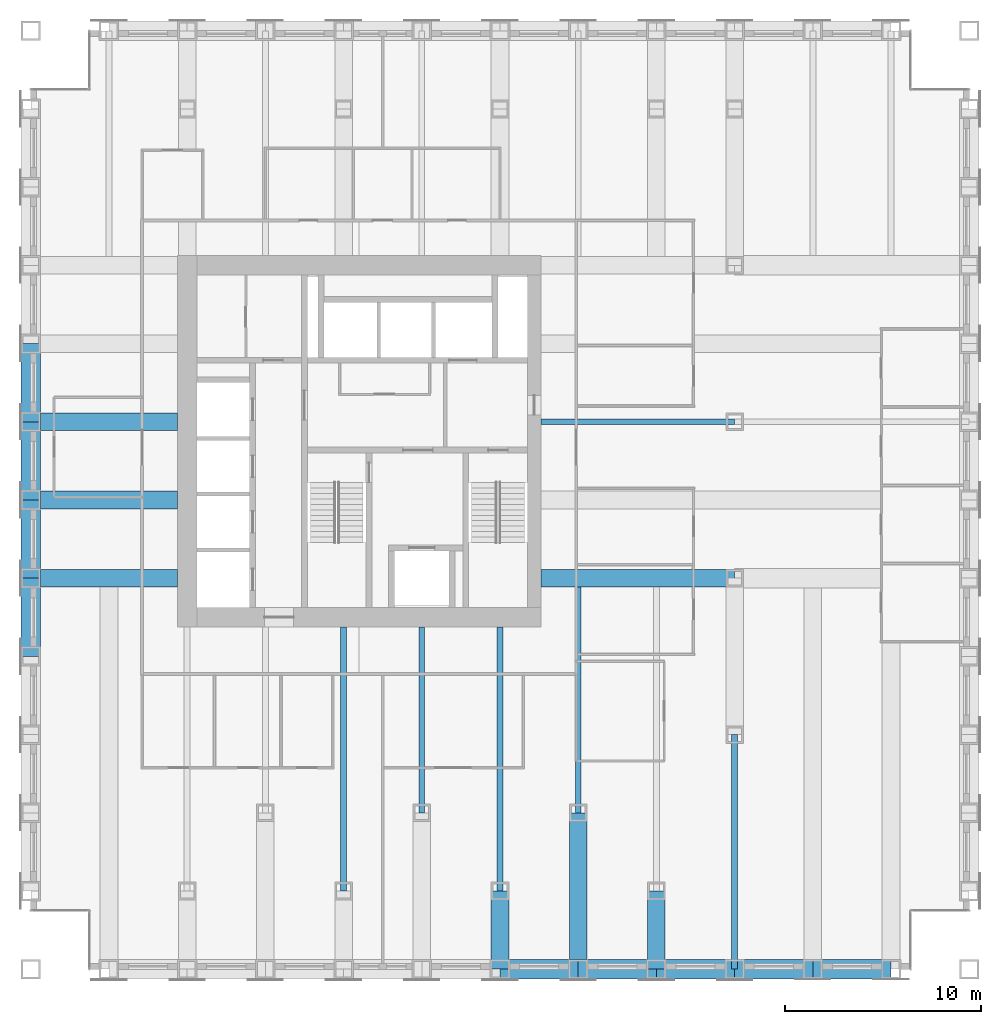
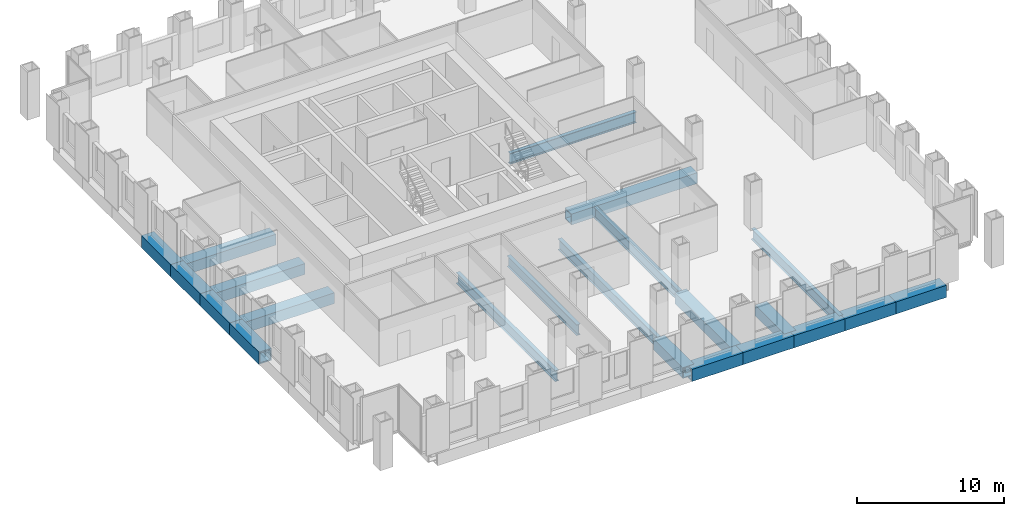
# One storey, part 3 of 16: 22 beams.
"""IFC4 building model written with IfcOpenShell, lengths in metres."""

import ifcopenshell
import ifcopenshell.guid

model = None  # the IFC model being written
_history = None  # IfcOwnerHistory: only IFC2X3 demands one
_inside = {}  # id of a spatial element -> (the spatial element, [elements in it])
_under = {}  # id of a project, library or spatial element -> (it, [spatial elements below it])
_declared = {}  # id of a project -> (the project, [libraries it declares])
_typed = {}  # id of a type object -> (the type object, [elements of that type])
_made_of = {}  # id of a material, layer set ... -> (it, [elements and type objects made of it])


def new_model(schema):
    """Start an empty IFC model of exactly this schema.

    Asked for "IFC4X3", IfcOpenShell would pick the latest addendum, in which some entities
    have other attributes; the version numbers below select the first issue.
    IFC2X3 requires an IfcOwnerHistory on every rooted entity: one is made here for all.
    """
    global model, _history
    if schema == "IFC4X3":
        model = ifcopenshell.file(schema_version=(4, 3, 0, 0))
    else:
        model = ifcopenshell.file(schema=schema)
    _inside.clear()
    _under.clear()
    _declared.clear()
    _typed.clear()
    _made_of.clear()
    _history = None
    if model.schema == "IFC2X3":
        org = make("IfcOrganization", Name="unknown")
        user = make(
            "IfcPersonAndOrganization",
            ThePerson=make("IfcPerson", FamilyName="unknown"),
            TheOrganization=org,
        )
        app = make(
            "IfcApplication",
            ApplicationDeveloper=org,
            Version="unknown",
            ApplicationFullName="unknown",
            ApplicationIdentifier="unknown",
        )
        _history = make(
            "IfcOwnerHistory",
            OwningUser=user,
            OwningApplication=app,
            ChangeAction="ADDED",
            CreationDate=0,
        )
    return model


def make(cls, **values):
    """One entity of the class cls with the attributes given. An attribute that is None is left unset."""
    return model.create_entity(
        cls, **{name: value for name, value in values.items() if value is not None}
    )


def rooted(cls, **values):
    """An entity with a GlobalId (a new one), such as an element, a storey or a relation."""
    return make(cls, GlobalId=ifcopenshell.guid.new(), OwnerHistory=_history, **values)


def si_unit(unit_type, name, prefix=None):
    """IfcSIUnit, for example si_unit("LENGTHUNIT", "METRE", prefix="MILLI")."""
    return make("IfcSIUnit", UnitType=unit_type, Prefix=prefix, Name=name)


def assignment(units):
    """IfcUnitAssignment: the units of a project."""
    return None if units is None else make("IfcUnitAssignment", Units=units)


def point(xyz):
    """IfcCartesianPoint."""
    return None if xyz is None else make("IfcCartesianPoint", Coordinates=xyz)


def direction(xyz):
    """IfcDirection."""
    return None if xyz is None else make("IfcDirection", DirectionRatios=xyz)


def frame(location, z_axis=None, x_axis=None):
    """IfcAxis2Placement3D, a coordinate frame: its origin and axes. An axis left out is left unset."""
    return make(
        "IfcAxis2Placement3D",
        Location=point(location),
        Axis=direction(z_axis),
        RefDirection=direction(x_axis),
    )


def frame_2d(location, x_axis=None):
    """IfcAxis2Placement2D, a coordinate frame in the plane: its origin and x axis."""
    return make(
        "IfcAxis2Placement2D", Location=point(location), RefDirection=direction(x_axis)
    )


def origin():
    """The frame at (0, 0, 0) with its axes left unset."""
    return frame((0.0, 0.0, 0.0))


def origin_2d():
    """The frame at (0, 0) in the plane with its x axis left unset."""
    return frame_2d((0.0, 0.0))


def place(relative_to, where):
    """IfcLocalPlacement: puts the frame where relative to a parent placement (None: the world)."""
    return make(
        "IfcLocalPlacement", PlacementRelTo=relative_to, RelativePlacement=where
    )


def context(
    kind, dimensions, precision=None, world=None, true_north=None, identifier=None
):
    """IfcGeometricRepresentationContext, for example the 3D "Model" context."""
    return make(
        "IfcGeometricRepresentationContext",
        ContextIdentifier=identifier,
        ContextType=kind,
        CoordinateSpaceDimension=dimensions,
        Precision=precision,
        WorldCoordinateSystem=world,
        TrueNorth=true_north,
    )


def subcontext(parent, identifier, kind, view, scale=None):
    """IfcGeometricRepresentationSubContext, for example "Body" below "Model"."""
    return make(
        "IfcGeometricRepresentationSubContext",
        ContextIdentifier=identifier,
        ContextType=kind,
        ParentContext=parent,
        TargetScale=scale,
        TargetView=view,
    )


def project(units=None, contexts=None):
    """IfcProject with its units and contexts."""
    return rooted(
        "IfcProject",
        Name="project",
        RepresentationContexts=contexts,
        UnitsInContext=assignment(units),
    )


def spatial(cls, under=None, at=None, **own):
    """A site, building, storey or space (cls), placed at a placement, below another one or the project."""
    s = rooted(cls, ObjectPlacement=at, **own)
    if under is not None:
        _under.setdefault(under.id(), (under, []))[1].append(s)
    return s


def profile(cls, at=None, kind="AREA", **sizes):
    """A parametric profile (cls). Its sizes go by their IFC names, for example OverallWidth=200.0."""
    return make(cls, ProfileType=kind, Position=at, **sizes)


def hollow_rectangle(**sizes):
    """IfcRectangleHollowProfileDef."""
    return profile("IfcRectangleHollowProfileDef", **sizes)


def i_section(**sizes):
    """IfcIShapeProfileDef."""
    return profile("IfcIShapeProfileDef", **sizes)


def extrude(swept, where, along, depth):
    """IfcExtrudedAreaSolid: the profile swept, set in the frame where, extruded along a direction by depth."""
    return make(
        "IfcExtrudedAreaSolid",
        SweptArea=swept,
        Position=where,
        ExtrudedDirection=direction(along),
        Depth=depth,
    )


def shape(context_of_items, identifier, shape_type, items):
    """IfcShapeRepresentation: the items that make up one representation, for example the "Body"."""
    return make(
        "IfcShapeRepresentation",
        ContextOfItems=context_of_items,
        RepresentationIdentifier=identifier,
        RepresentationType=shape_type,
        Items=items,
    )


def material(Name=None, Category=None):
    """IfcMaterial."""
    return make("IfcMaterial", Name=Name, Category=Category)


def material_profile(
    of_material, cross_section, Name=None, Category=None, Priority=None
):
    """IfcMaterialProfile: a cross section and its material."""
    return make(
        "IfcMaterialProfile",
        Name=Name,
        Material=of_material,
        Profile=cross_section,
        Priority=Priority,
        Category=Category,
    )


def profile_set(profiles, Name=None, composite=None):
    """IfcMaterialProfileSet."""
    return make(
        "IfcMaterialProfileSet",
        Name=Name,
        MaterialProfiles=profiles,
        CompositeProfile=composite,
    )


def made_of(thing, what):
    """Note that an element or type object is made of a material, layer set ...; save() writes the relation."""
    if what is not None:
        _made_of.setdefault(what.id(), (what, []))[1].append(thing)
    return thing


def type_object(cls, material=None, **own):
    """A type object (cls), such as IfcWallType, which elements share."""
    return made_of(rooted(cls, **own), material)


def element(
    cls,
    number,
    at=None,
    inside=None,
    cuts=None,
    type_object=None,
    material=None,
    context=None,
    identifier="Body",
    shape_type=None,
    held_by="IfcProductDefinitionShape",
    body=None,
    shapes=None,
    **own,
):
    """One element of the class cls, such as IfcWall. Its Tag is "e" and its number.

    at: its placement. inside: the storey or other place that contains it. cuts: it is an
    opening in that element (IfcRelVoidsElement). A single representation is given by context,
    identifier, shape_type and body (its items); several are given by shapes. held_by: the class
    of the entity that holds the representations. save() writes the other relations.
    """
    e = rooted(cls, Tag="e%d" % number, ObjectPlacement=at, **own)
    if body is not None:
        shapes = [shape(context, identifier, shape_type, body)]
    if shapes is not None:
        e.Representation = make(held_by, Representations=shapes)
    if inside is not None:
        _inside.setdefault(inside.id(), (inside, []))[1].append(e)
    if cuts is not None:
        rooted(
            "IfcRelVoidsElement", RelatingBuildingElement=cuts, RelatedOpeningElement=e
        )
    if type_object is not None:
        _typed.setdefault(type_object.id(), (type_object, []))[1].append(e)
    return made_of(e, material)


def aggregate(whole, parts):
    """IfcRelAggregates: a whole, such as a stair, and the parts it consists of."""
    return rooted("IfcRelAggregates", RelatingObject=whole, RelatedObjects=parts)


def save(model, path):
    """Write the relations noted so far, then the file.

    IfcRelAggregates (storeys below a building ...), IfcRelContainedInSpatialStructure (elements
    in a storey), IfcRelDefinesByType, IfcRelAssociatesMaterial and IfcRelDeclares: one each for
    every whole, place, type object, material and project.
    """
    for whole, parts in _under.values():
        aggregate(whole, parts)
    for where, things in _inside.values():
        rooted(
            "IfcRelContainedInSpatialStructure",
            RelatedElements=things,
            RelatingStructure=where,
        )
    for kind, things in _typed.values():
        rooted("IfcRelDefinesByType", RelatedObjects=things, RelatingType=kind)
    for what, things in _made_of.values():
        rooted("IfcRelAssociatesMaterial", RelatedObjects=things, RelatingMaterial=what)
    for by, libraries in _declared.values():
        rooted("IfcRelDeclares", RelatingContext=by, RelatedDefinitions=libraries)
    model.write(path)


model = new_model("IFC4")

# Units and contexts
model_context = context("Model", 3, precision=1e-05, world=origin(), true_north=direction((0.0, 1.0)))
body_context = subcontext(model_context, "Body", "Model", "MODEL_VIEW")
ifc_project = project(units=[si_unit("LENGTHUNIT", "METRE"), si_unit("AREAUNIT", "SQUARE_METRE"), si_unit("VOLUMEUNIT", "CUBIC_METRE"), si_unit("PLANEANGLEUNIT", "RADIAN"), si_unit("MASSUNIT", "GRAM", prefix="KILO")], contexts=[model_context])

# Site, building, storey
site_placement = place(None, origin())
site = spatial("IfcSite", under=ifc_project, at=site_placement, CompositionType="ELEMENT")
building_placement = place(site_placement, origin())
building = spatial("IfcBuilding", under=site, at=building_placement, Name="Rimbunsela Tower", CompositionType="ELEMENT")
storey_placement = place(building_placement, frame((0.0, 0.0, 89.39990234375)))
storey = spatial("IfcBuildingStorey", under=building, at=storey_placement, Name="L21", CompositionType="ELEMENT", Elevation=89.39990234375)

# Beams
ifc_material_1 = material(Name="Steel BJ 55 (fy 410 MPa)", Category="steel")
ifc_material_profile_1 = material_profile(ifc_material_1, hollow_rectangle(XDim=1.0, YDim=1.0, WallThickness=0.10009765625, at=origin_2d()), Name="BOX 1000x1000x100")
ifc_profile_set_1 = profile_set([ifc_material_profile_1], Name="Steel BJ 55 (fy 410 MPa)")
beam_type_1 = type_object("IfcBeamType", Name="Beam BOX 1000x1000x100", PredefinedType="BEAM", material=ifc_profile_set_1)
for number, where, z_axis, x_axis, name in (
    (1, (10.0, 16.0, -0.64990234375), (0.0, 1.0, 0.0), (-1.0, 0.0, 0.0), "Beam B3 L21"),
    (2, (10.0, 20.0, -0.64990234375), (0.0, 1.0, 0.0), (-1.0, 0.0, 0.0), "Beam B3 L21"),
    (3, (10.0, 24.0, -0.64990234375), (0.0, 1.0, 0.0), (-1.0, 0.0, 0.0), "Beam B3 L21"),
    (4, (10.0, 28.0, -0.64990234375), (0.0, 1.0, 0.0), (-1.0, 0.0, 0.0), "Beam B3 L21"),
    (5, (34.0, 0.0, -0.64990234375), (1.0, 0.0, 0.0), (0.0, 1.0, 0.0), "Beam B3 L21"),
    (6, (38.0, 0.0, -0.64990234375), (1.0, 0.0, 0.0), (0.0, 1.0, 0.0), "Beam B3 L21"),
    (7, (42.0, 0.0, -0.64990234375), (1.0, 0.0, 0.0), (0.0, 1.0, 0.0), "Beam B3 L21"),
    (8, (46.0, 0.0, -0.64990234375), (1.0, 0.0, 0.0), (0.0, 1.0, 0.0), "Beam B3 L21"),
    (9, (50.0, 0.0, -0.64990234375), (1.0, 0.0, 0.0), (0.0, 1.0, 0.0), "Beam B3 L21"),
):
    element("IfcBeam", number, at=place(storey_placement, frame(where, z_axis=z_axis, x_axis=x_axis)), inside=storey, type_object=beam_type_1, Name=name, PredefinedType="BEAM", context=body_context, shape_type="SweptSolid", body=[
        extrude(hollow_rectangle(XDim=1.0, YDim=1.0, WallThickness=0.10009765625, at=origin_2d()), origin(), (0.0, 0.0, 1.0), 4.0),
    ])
ifc_material_2 = material(Name="Steel BJ 55 (fy 410 MPa)", Category="steel")
ifc_material_profile_2 = material_profile(ifc_material_2, hollow_rectangle(XDim=0.89990234375, YDim=0.89990234375, WallThickness=0.06005859375, at=origin_2d()), Name="BOX 900x900x60")
ifc_profile_set_2 = profile_set([ifc_material_profile_2], Name="Steel BJ 55 (fy 410 MPa)")
beam_type_2 = type_object("IfcBeamType", Name="Beam BOX 900x900x60", PredefinedType="BEAM", material=ifc_profile_set_2)
for number, where, z_axis, x_axis, name in (
    (10, (10.0, 20.0, -0.599853515625), (1.0, 0.0, 0.0), (0.0, 1.0, 0.0), "Beam B1 L21"),
    (11, (10.0, 24.0, -0.599853515625), (1.0, 0.0, 0.0), (0.0, 1.0, 0.0), "Beam B1 L21"),
    (12, (10.0, 28.0, -0.599853515625), (1.0, 0.0, 0.0), (0.0, 1.0, 0.0), "Beam B1 L21"),
):
    element("IfcBeam", number, at=place(storey_placement, frame(where, z_axis=z_axis, x_axis=x_axis)), inside=storey, type_object=beam_type_2, Name=name, PredefinedType="BEAM", context=body_context, shape_type="SweptSolid", body=[
        extrude(hollow_rectangle(XDim=0.89990234375, YDim=0.89990234375, WallThickness=0.06005859375, at=origin_2d()), origin(), (0.0, 0.0, 1.0), 7.5),
    ])
beam_1_placement = place(storey_placement, frame((34.0, 0.0, -0.599853515625), z_axis=(0.0, 1.0, 0.0), x_axis=(-1.0, 0.0, 0.0)))
element("IfcBeam", 13, at=beam_1_placement, inside=storey, type_object=beam_type_2, Name="Beam B1 L21", PredefinedType="BEAM", context=body_context, shape_type="SweptSolid", body=[
    extrude(hollow_rectangle(XDim=0.89990234375, YDim=0.89990234375, WallThickness=0.06005859375, at=origin_2d()), origin(), (0.0, 0.0, 1.0), 4.0),
])
beam_2_placement = place(storey_placement, frame((36.10009765625, 20.0, -0.599853515625), z_axis=(1.0, 0.0, 0.0), x_axis=(0.0, 1.0, 0.0)))
element("IfcBeam", 14, at=beam_2_placement, inside=storey, type_object=beam_type_2, Name="Beam B1 L21", PredefinedType="BEAM", context=body_context, shape_type="SweptSolid", body=[
    extrude(hollow_rectangle(XDim=0.89990234375, YDim=0.89990234375, WallThickness=0.06005859375, at=origin_2d()), origin(), (0.0, 0.0, 1.0), 9.89990234375),
])
beam_3_placement = place(storey_placement, frame((38.0, 0.0, -0.599853515625), z_axis=(0.0, 1.0, 0.0), x_axis=(-1.0, 0.0, 0.0)))
element("IfcBeam", 15, at=beam_3_placement, inside=storey, type_object=beam_type_2, Name="Beam B1 L21", PredefinedType="BEAM", context=body_context, shape_type="SweptSolid", body=[
    extrude(hollow_rectangle(XDim=0.89990234375, YDim=0.89990234375, WallThickness=0.06005859375, at=origin_2d()), origin(), (0.0, 0.0, 1.0), 8.0),
])
beam_4_placement = place(storey_placement, frame((42.0, 0.0, -0.599853515625), z_axis=(0.0, 1.0, 0.0), x_axis=(-1.0, 0.0, 0.0)))
element("IfcBeam", 16, at=beam_4_placement, inside=storey, type_object=beam_type_2, Name="Beam B1 L21", PredefinedType="BEAM", context=body_context, shape_type="SweptSolid", body=[
    extrude(hollow_rectangle(XDim=0.89990234375, YDim=0.89990234375, WallThickness=0.06005859375, at=origin_2d()), origin(), (0.0, 0.0, 1.0), 4.0),
])
ifc_material_3 = material(Name="Steel BJ 55 (fy 410 MPa)", Category="steel")
ifc_material_profile_3 = material_profile(ifc_material_3, i_section(OverallWidth=0.300048828125, OverallDepth=0.89990234375, WebThickness=0.01611328125, FlangeThickness=0.028076171875, FilletRadius=0.028076171875, at=origin_2d()), Name="H 900x300x16x28")
ifc_profile_set_3 = profile_set([ifc_material_profile_3], Name="Steel BJ 55 (fy 410 MPa)")
beam_type_3 = type_object("IfcBeamType", Name="Beam H 900x300x16x28", PredefinedType="BEAM", material=ifc_profile_set_3)
beam_5_placement = place(storey_placement, frame((26.0, 4.0, -0.599853515625), z_axis=(0.0, 1.0, 0.0), x_axis=(-1.0, 0.0, 0.0)))
element("IfcBeam", 17, at=beam_5_placement, inside=storey, type_object=beam_type_3, Name="Beam B2 L21", PredefinedType="BEAM", context=body_context, shape_type="SweptSolid", body=[
    extrude(i_section(OverallWidth=0.300048828125, OverallDepth=0.89990234375, WebThickness=0.01611328125, FlangeThickness=0.028076171875, FilletRadius=0.028076171875, at=origin_2d()), origin(), (0.0, 0.0, 1.0), 13.5),
])
beam_6_placement = place(storey_placement, frame((30.0, 8.0, -0.599853515625), z_axis=(0.0, 1.0, 0.0), x_axis=(-1.0, 0.0, 0.0)))
element("IfcBeam", 18, at=beam_6_placement, inside=storey, type_object=beam_type_3, Name="Beam B2 L21", PredefinedType="BEAM", context=body_context, shape_type="SweptSolid", body=[
    extrude(i_section(OverallWidth=0.300048828125, OverallDepth=0.89990234375, WebThickness=0.01611328125, FlangeThickness=0.028076171875, FilletRadius=0.028076171875, at=origin_2d()), origin(), (0.0, 0.0, 1.0), 9.5),
])
beam_7_placement = place(storey_placement, frame((34.0, 4.0, -0.599853515625), z_axis=(0.0, 1.0, 0.0), x_axis=(-1.0, 0.0, 0.0)))
element("IfcBeam", 19, at=beam_7_placement, inside=storey, type_object=beam_type_3, Name="Beam B2 L21", PredefinedType="BEAM", context=body_context, shape_type="SweptSolid", body=[
    extrude(i_section(OverallWidth=0.300048828125, OverallDepth=0.89990234375, WebThickness=0.01611328125, FlangeThickness=0.028076171875, FilletRadius=0.028076171875, at=origin_2d()), origin(), (0.0, 0.0, 1.0), 13.5),
])
beam_8_placement = place(storey_placement, frame((36.10009765625, 28.0, -0.599853515625), z_axis=(1.0, 0.0, 0.0), x_axis=(0.0, 1.0, 0.0)))
element("IfcBeam", 20, at=beam_8_placement, inside=storey, type_object=beam_type_3, Name="Beam B2 L21", PredefinedType="BEAM", context=body_context, shape_type="SweptSolid", body=[
    extrude(i_section(OverallWidth=0.300048828125, OverallDepth=0.89990234375, WebThickness=0.01611328125, FlangeThickness=0.028076171875, FilletRadius=0.028076171875, at=origin_2d()), origin(), (0.0, 0.0, 1.0), 9.89990234375),
])
beam_9_placement = place(storey_placement, frame((38.0, 8.0, -0.599853515625), z_axis=(0.0, 1.0, 0.0), x_axis=(-1.0, 0.0, 0.0)))
element("IfcBeam", 21, at=beam_9_placement, inside=storey, type_object=beam_type_3, Name="Beam B2 L21", PredefinedType="BEAM", context=body_context, shape_type="SweptSolid", body=[
    extrude(i_section(OverallWidth=0.300048828125, OverallDepth=0.89990234375, WebThickness=0.01611328125, FlangeThickness=0.028076171875, FilletRadius=0.028076171875, at=origin_2d()), origin(), (0.0, 0.0, 1.0), 11.550048828125),
])
beam_10_placement = place(storey_placement, frame((46.0, 0.0, -0.599853515625), z_axis=(0.0, 1.0, 0.0), x_axis=(-1.0, 0.0, 0.0)))
element("IfcBeam", 22, at=beam_10_placement, inside=storey, type_object=beam_type_3, Name="Beam B2 L21", PredefinedType="BEAM", context=body_context, shape_type="SweptSolid", body=[
    extrude(i_section(OverallWidth=0.300048828125, OverallDepth=0.89990234375, WebThickness=0.01611328125, FlangeThickness=0.028076171875, FilletRadius=0.028076171875, at=origin_2d()), origin(), (0.0, 0.0, 1.0), 12.0),
])

save(model, "model.ifc")
